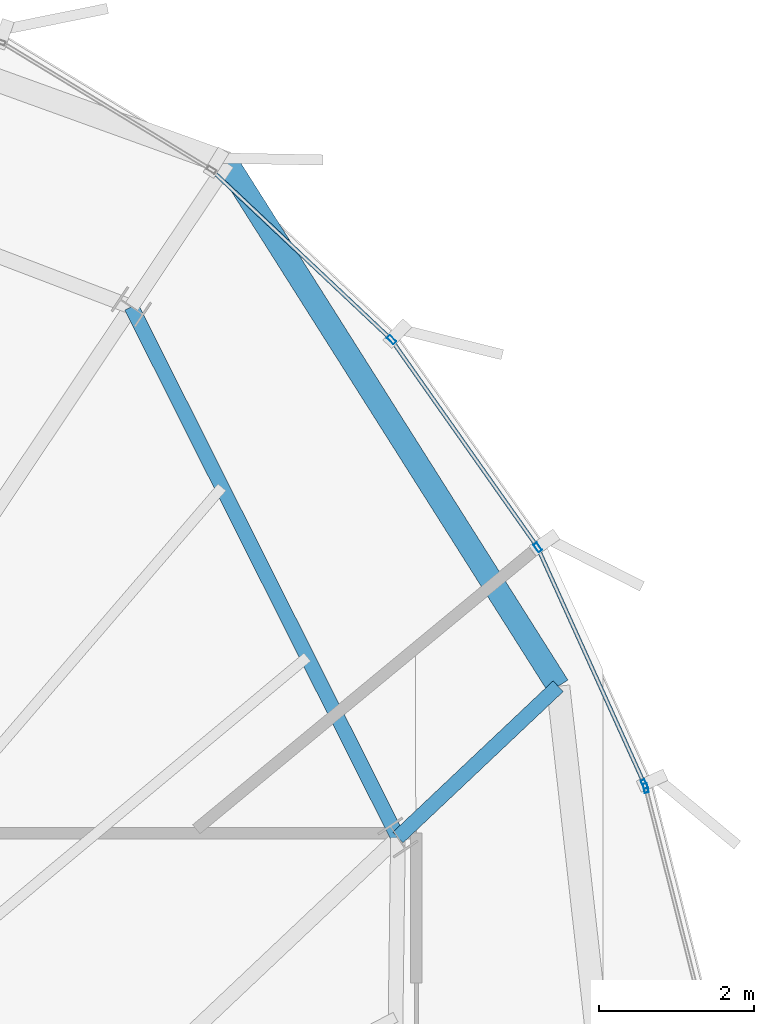
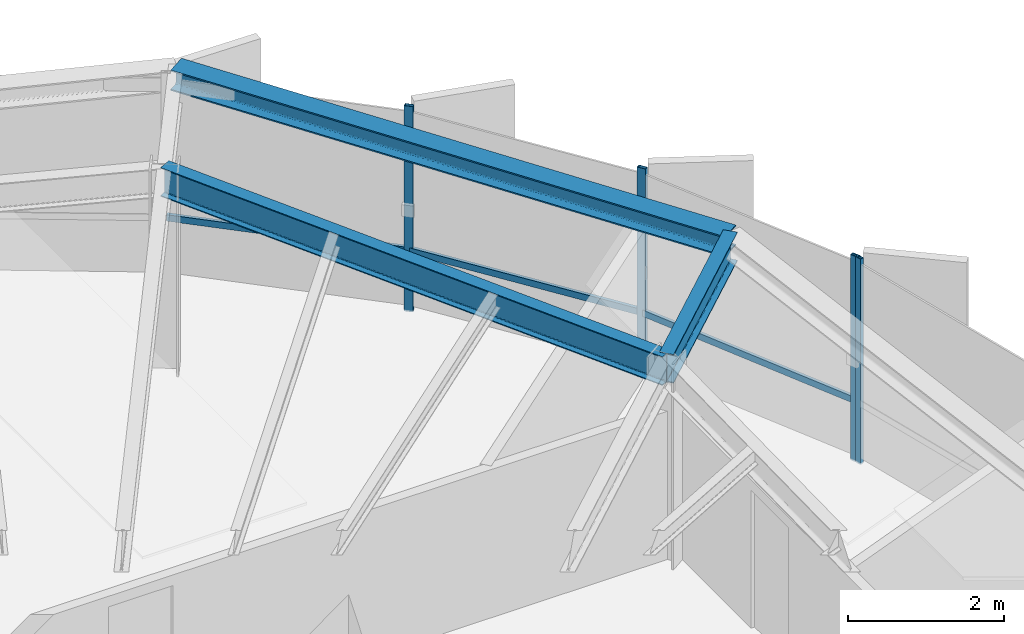
# One storey, part 22 of 30: 7 members, 3 beams, 2 elements without a shape of their own.
"""IFC4 building model written with IfcOpenShell, lengths in metres."""

from ifc_helpers import new_model, si_unit, direction, frame, origin, origin_2d, place, context, subcontext, project, spatial, hollow_rectangle, i_section, extrude, source, transform, mapped, material, layer, layer_set, material_profile, profile_set, type_object, element, aggregate, save


model = new_model("IFC4")

# Units and contexts
model_context = context("Model", 3, precision=1e-05, world=origin(), true_north=direction((0.0, 1.0)))
body_context = subcontext(model_context, "Body", "Model", "MODEL_VIEW")
ifc_project = project(units=[si_unit("LENGTHUNIT", "METRE"), si_unit("AREAUNIT", "SQUARE_METRE"), si_unit("VOLUMEUNIT", "CUBIC_METRE"), si_unit("PLANEANGLEUNIT", "RADIAN"), si_unit("MASSUNIT", "GRAM", prefix="KILO"), si_unit("THERMODYNAMICTEMPERATUREUNIT", "KELVIN")], contexts=[model_context])

# Site, building, storey
site_placement = place(None, origin())
site = spatial("IfcSite", under=ifc_project, at=site_placement, CompositionType="ELEMENT")
building_placement = place(site_placement, origin())
building = spatial("IfcBuilding", under=site, at=building_placement, Name="Kethvar Cultural Tower", CompositionType="ELEMENT")
storey_placement = place(building_placement, frame((0.0, 0.0, 293.949951171875)))
storey = spatial("IfcBuildingStorey", under=building, at=storey_placement, Name="L78", CompositionType="ELEMENT", Elevation=293.949951171875)

# Beams
ifc_material_1 = material(Name="Steel S355J2", Category="steel")
ifc_material_profile_1 = material_profile(ifc_material_1, i_section(OverallWidth=0.18994140625, OverallDepth=0.449951171875, WebThickness=0.009521484375, FlangeThickness=0.0146484375, FilletRadius=0.02099609375, at=origin_2d()), Name="Steel S355J2 — IPE450")
ifc_profile_set_1 = profile_set([ifc_material_profile_1], Name="Steel S355J2 — IPE450")
beam_type_1 = type_object("IfcBeamType", Name="BM-IPE450", PredefinedType="BEAM", material=ifc_profile_set_1)
shared_shape_1 = source(origin(), body_context, "Body", "SweptSolid", [
    extrude(i_section(OverallWidth=0.18994140625, OverallDepth=0.449951171875, WebThickness=0.009521484375, FlangeThickness=0.0146484375, FilletRadius=0.02099609375, at=origin_2d()), origin(), (0.0, 0.0, 1.0), 7.68701171875),
])
beam_1_placement = place(storey_placement, frame((61.32568359375, 37.505859375, 2.983154296875), z_axis=(-0.448864354142, 0.893599905763, 0.0), x_axis=(-0.893599905763, -0.448864354142, 0.0)))
element("IfcBeam", 1, at=beam_1_placement, inside=storey, type_object=beam_type_1, Name="L78 Column Ring Tie Beam CR-02", PredefinedType="BEAM", context=body_context, shape_type="MappedRepresentation", body=[
    mapped(shared_shape_1, transform((0.0, 0.0, 0.0), scale=1.0)),
])
shared_shape_2 = source(origin(), body_context, "Body", "SweptSolid", [
    extrude(i_section(OverallWidth=0.18994140625, OverallDepth=0.449951171875, WebThickness=0.009521484375, FlangeThickness=0.0146484375, FilletRadius=0.02099609375, at=origin_2d()), origin(), (0.0, 0.0, 1.0), 2.8525390625),
])
beam_2_placement = place(storey_placement, frame((61.32568359375, 37.505859375, 2.983154296875), z_axis=(0.727141309924, 0.686487811547, 0.0), x_axis=(-0.686487811547, 0.727141309924, 0.0)))
element("IfcBeam", 2, at=beam_2_placement, inside=storey, type_object=beam_type_1, Name="L78 Perimeter Cantilever Beam RC-02", PredefinedType="BEAM", context=body_context, shape_type="MappedRepresentation", body=[
    mapped(shared_shape_2, transform((0.0, 0.0, 0.0), scale=1.0)),
])
ifc_material_profile_2 = material_profile(ifc_material_1, i_section(OverallWidth=0.300048828125, OverallDepth=0.320068359375, WebThickness=0.011474609375, FlangeThickness=0.0205078125, FilletRadius=0.027099609375, at=origin_2d()), Name="Steel S355J2 — HEB320")
ifc_profile_set_2 = profile_set([ifc_material_profile_2], Name="Steel S355J2 — HEB320")
beam_type_2 = type_object("IfcBeamType", Name="BM-SP320", PredefinedType="SPANDREL", material=ifc_profile_set_2)
shared_shape_3 = source(origin(), body_context, "Body", "SweptSolid", [
    extrude(i_section(OverallWidth=0.300048828125, OverallDepth=0.320068359375, WebThickness=0.011474609375, FlangeThickness=0.0205078125, FilletRadius=0.027099609375, at=origin_2d()), origin(), (0.0, 0.0, 1.0), 8.01025390625),
])
beam_3_placement = place(storey_placement, frame((63.39990234375, 39.464111328125, 3.048095703125), z_axis=(-0.534722113966, 0.845027964529, 0.0), x_axis=(-0.845027964529, -0.534722113966, 0.0)))
element("IfcBeam", 3, at=beam_3_placement, inside=storey, type_object=beam_type_2, Name="L78 Perimeter Spandrel Beam SP-02", PredefinedType="SPANDREL", context=body_context, shape_type="MappedRepresentation", body=[
    mapped(shared_shape_3, transform((0.0, 0.0, 0.0), scale=1.0)),
])

# Curtain wall, member
ifc_material_2 = material(Name="Aluminium 6063-T6", Category="aluminium")
ifc_layer = layer(ifc_material_2, 0.179931640625, Name="Aluminium 6063-T6", Category="aluminium")
ifc_layer_set = layer_set([ifc_layer], Name="Aluminium 6063-T6 (180 mm)")
curtain_wall_type = type_object("IfcCurtainWallType", Name="CW-SYS-05-Z56", PredefinedType="NOTDEFINED", material=ifc_layer_set)
curtain_wall_1_placement = place(storey_placement, origin())
curtain_wall_1 = element("IfcCurtainWall", 4, at=curtain_wall_1_placement, inside=storey, type_object=curtain_wall_type, Name="L78 Curtain Wall Run 06", PredefinedType="NOTDEFINED")
ifc_material_profile_3 = material_profile(ifc_material_2, hollow_rectangle(XDim=0.054931640625, YDim=0.1201171875, WallThickness=0.00390625, at=origin_2d()), Name="Aluminium 6063-T6 — RHS120x55x4")
ifc_profile_set_3 = profile_set([ifc_material_profile_3], Name="Aluminium 6063-T6 — RHS120x55x4")
member_type_1 = type_object("IfcMemberType", Name="CW-SYS-05-Z56-MUL", PredefinedType="MULLION", material=ifc_profile_set_3)
shared_shape_4 = source(origin(), body_context, "Body", "SweptSolid", [
    extrude(hollow_rectangle(XDim=0.054931640625, YDim=0.1201171875, WallThickness=0.00390625, at=origin_2d()), origin(), (0.0, 0.0, 1.0), 3.2099609375),
])
member_1_placement = place(storey_placement, frame((64.533935546875, 38.145751953125, 0.0), z_axis=(0.0, 0.0, 1.0), x_axis=(-0.969680381389, -0.24437667227, 0.0)))
member_1 = element("IfcMember", 5, at=member_1_placement, type_object=member_type_1, Name="CW-L78-R06 Mullion 7", PredefinedType="MULLION", context=body_context, shape_type="MappedRepresentation", body=[
    mapped(shared_shape_4, transform((0.0, 0.0, 0.0), scale=1.0)),
])
aggregate(curtain_wall_1, [member_1])

# Curtain wall, members
curtain_wall_2_placement = place(storey_placement, origin())
curtain_wall_2 = element("IfcCurtainWall", 6, at=curtain_wall_2_placement, inside=storey, type_object=curtain_wall_type, Name="L78 Curtain Wall Run 07", PredefinedType="NOTDEFINED")
member_2_placement = place(storey_placement, frame((64.516357421875, 38.1962890625, 0.0), z_axis=(0.0, 0.0, 1.0), x_axis=(-0.911424822228, -0.411466637077, 0.0)))
member_2 = element("IfcMember", 7, at=member_2_placement, type_object=member_type_1, Name="CW-L78-R07 Mullion 1", PredefinedType="MULLION", context=body_context, shape_type="MappedRepresentation", body=[
    mapped(shared_shape_4, transform((0.0, 0.0, 0.0), scale=1.0)),
])
member_3_placement = place(storey_placement, frame((63.134521484375, 41.261474609375, 0.0), z_axis=(0.0, 0.0, 1.0), x_axis=(-0.817466711412, -0.575975846485, 0.0)))
member_3 = element("IfcMember", 8, at=member_3_placement, type_object=member_type_1, Name="CW-L78-R07 Mullion 2", PredefinedType="MULLION", context=body_context, shape_type="MappedRepresentation", body=[
    mapped(shared_shape_4, transform((0.0, 0.0, 0.0), scale=1.0)),
])
member_4_placement = place(storey_placement, frame((61.242919921875, 43.94970703125, 0.0), z_axis=(0.0, 0.0, 1.0), x_axis=(-0.685818352927, -0.727772757657, 0.0)))
member_4 = element("IfcMember", 9, at=member_4_placement, type_object=member_type_1, Name="CW-L78-R07 Mullion 3", PredefinedType="MULLION", context=body_context, shape_type="MappedRepresentation", body=[
    mapped(shared_shape_4, transform((0.0, 0.0, 0.0), scale=1.0)),
])
ifc_material_profile_4 = material_profile(ifc_material_2, hollow_rectangle(XDim=0.050048828125, YDim=0.10009765625, WallThickness=0.00390625, at=origin_2d()), Name="Aluminium 6063-T6 — RHS100x50x4")
ifc_profile_set_4 = profile_set([ifc_material_profile_4], Name="Aluminium 6063-T6 — RHS100x50x4")
member_type_2 = type_object("IfcMemberType", Name="CW-SYS-05-Z56-TRN", PredefinedType="USERDEFINED", material=ifc_profile_set_4)
shared_shape_5 = source(origin(), body_context, "Body", "SweptSolid", [
    extrude(hollow_rectangle(XDim=0.050048828125, YDim=0.10009765625, WallThickness=0.00390625, at=origin_2d()), origin(), (0.0, 0.0, 1.0), 3.14404296875),
])
member_5_placement = place(storey_placement, frame((61.214111328125, 43.976806640625, 0.949951171875), z_axis=(-0.727762138805, 0.685829621205, 0.0), x_axis=(-0.685829621205, -0.727762138805, 0.0)))
member_5 = element("IfcMember", 10, at=member_5_placement, type_object=member_type_2, Name="CW-L78-R07 Transom 3", ObjectType="TRANSOM", PredefinedType="USERDEFINED", context=body_context, shape_type="MappedRepresentation", body=[
    mapped(shared_shape_5, transform((0.0, 0.0, 0.0), scale=1.0)),
])
shared_shape_6 = source(origin(), body_context, "Body", "SweptSolid", [
    extrude(hollow_rectangle(XDim=0.050048828125, YDim=0.10009765625, WallThickness=0.00390625, at=origin_2d()), origin(), (0.0, 0.0, 1.0), 3.337646484375),
])
member_6_placement = place(storey_placement, frame((64.514892578125, 38.19970703125, 0.949951171875), z_axis=(-0.411459325256, 0.911428123145, 0.0), x_axis=(-0.911428123145, -0.411459325256, 0.0)))
member_6 = element("IfcMember", 11, at=member_6_placement, type_object=member_type_2, Name="CW-L78-R07 Transom 1", ObjectType="TRANSOM", PredefinedType="USERDEFINED", context=body_context, shape_type="MappedRepresentation", body=[
    mapped(shared_shape_6, transform((0.0, 0.0, 0.0), scale=1.0)),
])
shared_shape_7 = source(origin(), body_context, "Body", "SweptSolid", [
    extrude(hollow_rectangle(XDim=0.050048828125, YDim=0.10009765625, WallThickness=0.00390625, at=origin_2d()), origin(), (0.0, 0.0, 1.0), 3.227783203125),
])
member_7_placement = place(storey_placement, frame((63.11181640625, 41.293701171875, 0.949951171875), z_axis=(-0.57596731756, 0.817472720708, 0.0), x_axis=(-0.817472720708, -0.57596731756, 0.0)))
member_7 = element("IfcMember", 12, at=member_7_placement, type_object=member_type_2, Name="CW-L78-R07 Transom 2", ObjectType="TRANSOM", PredefinedType="USERDEFINED", context=body_context, shape_type="MappedRepresentation", body=[
    mapped(shared_shape_7, transform((0.0, 0.0, 0.0), scale=1.0)),
])
aggregate(curtain_wall_2, [member_2, member_3, member_4, member_6, member_7, member_5])

save(model, "model.ifc")
